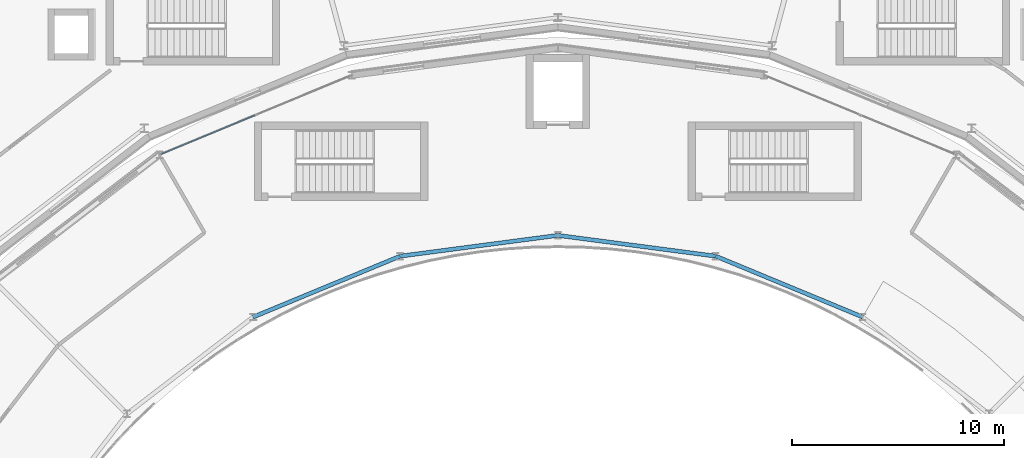
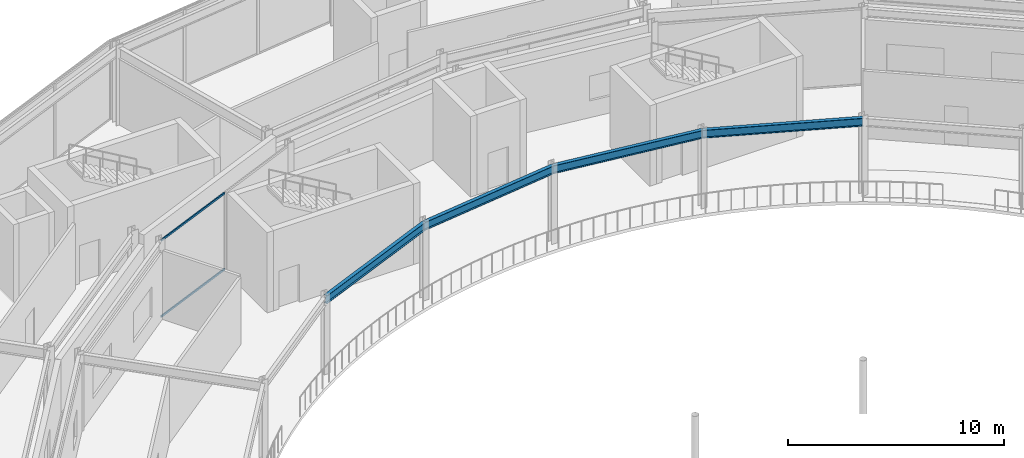
# One storey, part 73 of 157: 4 beams, 2 members, 1 element without a shape of its own.
"""IFC4 building model written with IfcOpenShell, lengths in metres."""

from ifc_helpers import new_model, si_unit, direction, frame, origin, origin_2d, place, context, subcontext, project, spatial, hollow_rectangle, i_section, extrude, material, material_profile, profile_set, type_object, element, aggregate, save


model = new_model("IFC4")

# Units and contexts
model_context = context("Model", 3, precision=1e-05, world=origin(), true_north=direction((0.0, 1.0)))
body_context = subcontext(model_context, "Body", "Model", "MODEL_VIEW")
ifc_project = project(units=[si_unit("LENGTHUNIT", "METRE"), si_unit("AREAUNIT", "SQUARE_METRE"), si_unit("VOLUMEUNIT", "CUBIC_METRE"), si_unit("PLANEANGLEUNIT", "RADIAN"), si_unit("MASSUNIT", "GRAM", prefix="KILO")], contexts=[model_context])

# Site, building, storey
site_placement = place(None, origin())
site = spatial("IfcSite", under=ifc_project, at=site_placement, CompositionType="ELEMENT")
building_placement = place(site_placement, origin())
building = spatial("IfcBuilding", under=site, at=building_placement, Name="Almandine Court Research Institute", CompositionType="ELEMENT")
storey_placement = place(building_placement, frame((0.0, 0.0, 5.25)))
storey = spatial("IfcBuildingStorey", under=building, at=storey_placement, Name="L01", CompositionType="ELEMENT", Elevation=5.25)

# Beams
ifc_material_1 = material(Name="Steel ASTM A992 Grade 50", Category="steel")
ifc_material_profile_1 = material_profile(ifc_material_1, i_section(OverallWidth=0.18994140625, OverallDepth=0.45703125, WebThickness=0.009033203125, FlangeThickness=0.014892578125, at=origin_2d()), Name="W460x74")
ifc_profile_set_1 = profile_set([ifc_material_profile_1], Name="Steel ASTM A992 Grade 50")
beam_type = type_object("IfcBeamType", Name="Beam-B-01", PredefinedType="BEAM", material=ifc_profile_set_1)
beam_1_placement = place(storey_placement, frame((101.39990234375, 80.94189453125, 4.14111328125), z_axis=(-0.923872366395, 0.382700732442, 0.0), x_axis=(-0.382700732442, -0.923872366395, 0.0)))
element("IfcBeam", 1, at=beam_1_placement, inside=storey, type_object=beam_type, Name="L01 Atrium Gallery Edge Beam", PredefinedType="BEAM", context=body_context, shape_type="SweptSolid", body=[
    extrude(i_section(OverallWidth=0.18994140625, OverallDepth=0.45703125, WebThickness=0.009033203125, FlangeThickness=0.014892578125, at=origin_2d()), origin(), (0.0, 0.0, 1.0), 7.51806640625),
])
for number, where, z_axis, x_axis, name in (
    (2, (94.4541015625, 83.819091796875, 4.14111328125), (-0.991451642713, 0.130474672489, 0.0), (-0.130474672489, -0.991451642713, 0.0), "L01 Atrium Gallery Edge Beam"),
    (3, (87.0, 84.800048828125, 4.14111328125), (-0.991451642713, -0.130474672489, 0.0), (0.130474672489, -0.991451642713, 0.0), "L01 Atrium Gallery Edge Beam"),
):
    element("IfcBeam", number, at=place(storey_placement, frame(where, z_axis=z_axis, x_axis=x_axis)), inside=storey, type_object=beam_type, Name=name, PredefinedType="BEAM", context=body_context, shape_type="SweptSolid", body=[
        extrude(i_section(OverallWidth=0.18994140625, OverallDepth=0.45703125, WebThickness=0.009033203125, FlangeThickness=0.014892578125, at=origin_2d()), origin(), (0.0, 0.0, 1.0), 7.518310546875),
    ])
beam_2_placement = place(storey_placement, frame((79.5458984375, 83.819091796875, 4.14111328125), z_axis=(-0.923872366395, -0.382700732442, 0.0), x_axis=(0.382700732442, -0.923872366395, 0.0)))
element("IfcBeam", 4, at=beam_2_placement, inside=storey, type_object=beam_type, Name="L01 Atrium Gallery Edge Beam", PredefinedType="BEAM", context=body_context, shape_type="SweptSolid", body=[
    extrude(i_section(OverallWidth=0.18994140625, OverallDepth=0.45703125, WebThickness=0.009033203125, FlangeThickness=0.014892578125, at=origin_2d()), origin(), (0.0, 0.0, 1.0), 7.51806640625),
])

# Curtain wall, members
ifc_material_2 = material(Name="Unitised Curtain Wall Framing and Solar Glazing", Category="glass")
curtain_wall_type = type_object("IfcCurtainWallType", Name="CW-CWG-24", PredefinedType="USERDEFINED", material=ifc_material_2)
curtain_wall_placement = place(storey_placement, origin())
curtain_wall = element("IfcCurtainWall", 5, at=curtain_wall_placement, inside=storey, type_object=curtain_wall_type, Name="L01 Interaction Atrium Perimeter Curtain Wall 07", ObjectType="UNITISED GLAZING", PredefinedType="USERDEFINED")
ifc_material_3 = material(Name="Anodised Aluminium AW-6063-T6", Category="aluminium")
ifc_material_profile_2 = material_profile(ifc_material_3, hollow_rectangle(XDim=0.06005859375, YDim=0.110107421875, WallThickness=0.00390625, at=origin_2d()), Name="ALU RHS 60x110x4")
ifc_profile_set_2 = profile_set([ifc_material_profile_2], Name="Anodised Aluminium AW-6063-T6")
member_type = type_object("IfcMemberType", Name="CWTrn-60x110", PredefinedType="NOTDEFINED", material=ifc_profile_set_2)
member_1_placement = place(storey_placement, frame((68.2333984375, 88.630859375, 0.030029296875), z_axis=(0.923888449361, 0.382661904477, 0.0), x_axis=(-0.382661904477, 0.923888449361, 0.0)))
member_1 = element("IfcMember", 6, at=member_1_placement, type_object=member_type, Name="CWG-24 transom 1.1", ObjectType="TRANSOM", PredefinedType="USERDEFINED", context=body_context, shape_type="SweptSolid", body=[
    extrude(hollow_rectangle(XDim=0.06005859375, YDim=0.110107421875, WallThickness=0.00390625, at=origin_2d()), origin(), (0.0, 0.0, 1.0), 4.82080078125),
])
member_2_placement = place(storey_placement, frame((68.2333984375, 88.630859375, 4.340087890625), z_axis=(0.923888449361, 0.382661904477, 0.0), x_axis=(-0.382661904477, 0.923888449361, 0.0)))
member_2 = element("IfcMember", 7, at=member_2_placement, type_object=member_type, Name="CWG-24 transom 1.2", ObjectType="TRANSOM", PredefinedType="USERDEFINED", context=body_context, shape_type="SweptSolid", body=[
    extrude(hollow_rectangle(XDim=0.06005859375, YDim=0.110107421875, WallThickness=0.00390625, at=origin_2d()), origin(), (0.0, 0.0, 1.0), 4.82080078125),
])
aggregate(curtain_wall, [member_1, member_2])

save(model, "model.ifc")
